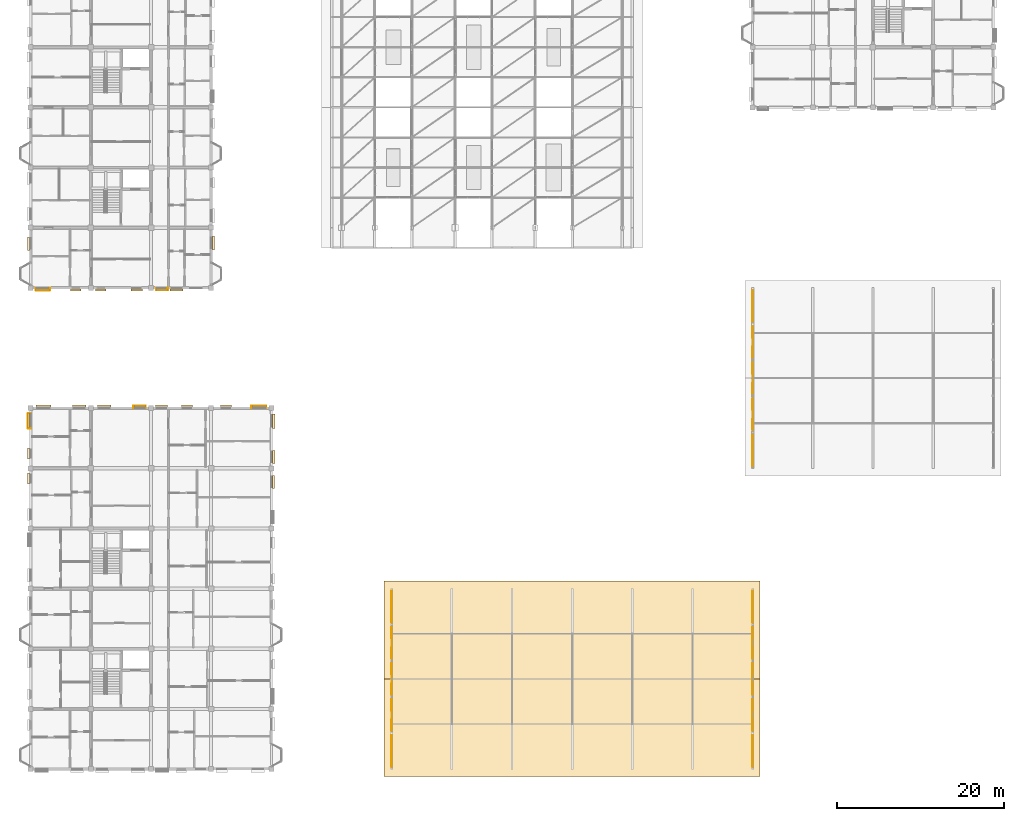
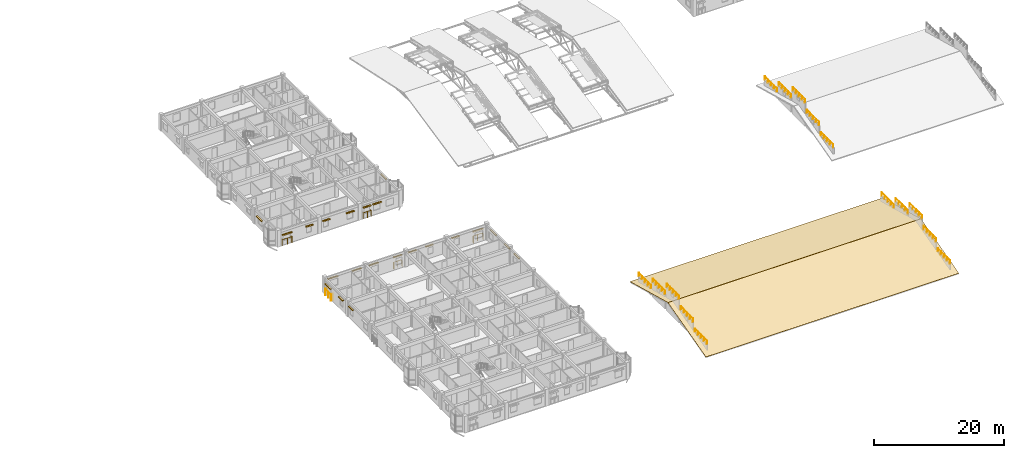
# One storey, part 116 of 124: 24 coverings, 20 railings.
"""IFC4 building model written with IfcOpenShell, lengths in metres."""

from ifc_helpers import new_model, si_unit, direction, frame, origin, origin_2d, place, context, subcontext, project, spatial, polyline, rectangle, circle, outline, extrude, material, layer, layer_set, type_object, element, save


model = new_model("IFC4")

# Units and contexts
model_context = context("Model", 3, precision=1e-05, world=origin(), true_north=direction((0.0, 1.0)))
body_context = subcontext(model_context, "Body", "Model", "MODEL_VIEW")
ifc_project = project(units=[si_unit("LENGTHUNIT", "METRE"), si_unit("AREAUNIT", "SQUARE_METRE"), si_unit("VOLUMEUNIT", "CUBIC_METRE"), si_unit("PLANEANGLEUNIT", "RADIAN"), si_unit("MASSUNIT", "GRAM", prefix="KILO"), si_unit("THERMODYNAMICTEMPERATUREUNIT", "KELVIN"), si_unit("POWERUNIT", "WATT")], contexts=[model_context])

# Site, building, storey
site_placement = place(None, origin())
site = spatial("IfcSite", under=ifc_project, at=site_placement, CompositionType="ELEMENT")
building_placement = place(site_placement, origin())
building = spatial("IfcBuilding", under=site, at=building_placement, Name="Tavuni Mirador Residences", CompositionType="ELEMENT")
storey_placement = place(building_placement, frame((0.0, 0.0, 7.64990234375)))
storey = spatial("IfcBuildingStorey", under=building, at=storey_placement, Name="L02", CompositionType="ELEMENT", Elevation=7.64990234375)

# Coverings
ifc_material_1 = material(Name="Natural coral limestone", Category="masonry")
ifc_layer_1 = layer(ifc_material_1, 0.054931640625, Name="Natural coral limestone", Category="masonry")
ifc_layer_set_1 = layer_set([ifc_layer_1], Name="Natural coral limestone")
covering_type_1 = type_object("IfcCoveringType", Name="CVT-CLAD-CORAL", PredefinedType="CLADDING", material=ifc_layer_set_1)
for number, where, z_axis, x_axis, name in (
    (1, (32.64453125, 41.570068359375, 1.955078125), (0.0, 0.0, 1.0), (0.0, 1.0, 0.0), "HOOD-0070"),
    (2, (32.68701171875, 44.570068359375, 1.955078125), (0.0, 0.0, 1.0), (0.0, 1.0, 0.0), "HOOD-0071"),
):
    element("IfcCovering", number, at=place(storey_placement, frame(where, z_axis=z_axis, x_axis=x_axis)), inside=storey, type_object=covering_type_1, Name=name, PredefinedType="CLADDING", context=body_context, shape_type="SweptSolid", body=[
        extrude(rectangle(XDim=1.580078125, YDim=0.25, at=origin_2d()), origin(), (0.0, 0.0, 1.0), 0.14990234375),
    ])
for number, where, z_axis, x_axis, name in (
    (3, (32.68701171875, 48.85009765625, 1.955078125), (0.0, 0.0, 1.0), (0.0, 1.0, 0.0), "HOOD-0072"),
    (4, (30.949951171875, 50.6494140625, 1.955078125), (0.0, 0.0, 1.0), (-1.0, 0.0, 0.0), "HOOD-0073"),
):
    element("IfcCovering", number, at=place(storey_placement, frame(where, z_axis=z_axis, x_axis=x_axis)), inside=storey, type_object=covering_type_1, Name=name, PredefinedType="CLADDING", context=body_context, shape_type="SweptSolid", body=[
        extrude(rectangle(XDim=1.739990234375, YDim=0.25, at=origin_2d()), origin(), (0.0, 0.0, 1.0), 0.14990234375),
    ])
for number, where, z_axis, x_axis, name in (
    (5, (26.969970703125, 50.6494140625, 2.065185546875), (0.0, 0.0, 1.0), (-1.0, 0.0, 0.0), "HOOD-0074"),
    (6, (22.304931640625, 50.659423828125, 2.065185546875), (0.0, 0.0, 1.0), (-1.0, 0.0, 0.0), "HOOD-0075"),
):
    element("IfcCovering", number, at=place(storey_placement, frame(where, z_axis=z_axis, x_axis=x_axis)), inside=storey, type_object=covering_type_1, Name=name, PredefinedType="CLADDING", context=body_context, shape_type="SweptSolid", body=[
        extrude(rectangle(XDim=1.300048828125, YDim=0.25, at=origin_2d()), origin(), (0.0, 0.0, 1.0), 0.14990234375),
    ])
for number, where, z_axis, x_axis, name in (
    (7, (19.27001953125, 50.659423828125, 2.065185546875), (0.0, 0.0, 1.0), (-1.0, 0.0, 0.0), "HOOD-0076"),
    (8, (16.68994140625, 50.6669921875, 2.065185546875), (0.0, 0.0, 1.0), (-1.0, 0.0, 0.0), "HOOD-0077"),
):
    element("IfcCovering", number, at=place(storey_placement, frame(where, z_axis=z_axis, x_axis=x_axis)), inside=storey, type_object=covering_type_1, Name=name, PredefinedType="CLADDING", context=body_context, shape_type="SweptSolid", body=[
        extrude(rectangle(XDim=1.4599609375, YDim=0.25, at=origin_2d()), origin(), (0.0, 0.0, 1.0), 0.14990234375),
    ])
for number, where, z_axis, x_axis, name in (
    (9, (12.409912109375, 50.6669921875, 2.065185546875), (0.0, 0.0, 1.0), (-1.0, 0.0, 0.0), "HOOD-0078"),
    (10, (9.409912109375, 50.674560546875, 2.065185546875), (0.0, 0.0, 1.0), (-1.0, 0.0, 0.0), "HOOD-0079"),
):
    element("IfcCovering", number, at=place(storey_placement, frame(where, z_axis=z_axis, x_axis=x_axis)), inside=storey, type_object=covering_type_1, Name=name, PredefinedType="CLADDING", context=body_context, shape_type="SweptSolid", body=[
        extrude(rectangle(XDim=1.6201171875, YDim=0.25, at=origin_2d()), origin(), (0.0, 0.0, 1.0), 0.14990234375),
    ])
for number, where, z_axis, x_axis, name in (
    (11, (5.1298828125, 50.674560546875, 2.065185546875), (0.0, 0.0, 1.0), (-1.0, 0.0, 0.0), "HOOD-0080"),
    (12, (3.31298828125, 48.929931640625, 2.065185546875), (0.0, 0.0, 1.0), (0.0, -1.0, 0.0), "HOOD-0081"),
):
    element("IfcCovering", number, at=place(storey_placement, frame(where, z_axis=z_axis, x_axis=x_axis)), inside=storey, type_object=covering_type_1, Name=name, PredefinedType="CLADDING", context=body_context, shape_type="SweptSolid", body=[
        extrude(rectangle(XDim=1.780029296875, YDim=0.25, at=origin_2d()), origin(), (0.0, 0.0, 1.0), 0.14990234375),
    ])
for number, where, z_axis, x_axis, name in (
    (13, (3.31298828125, 44.9599609375, 2.1650390625), (0.0, 0.0, 1.0), (0.0, -1.0, 0.0), "HOOD-0082"),
    (14, (3.35546875, 41.9599609375, 2.1650390625), (0.0, 0.0, 1.0), (0.0, -1.0, 0.0), "HOOD-0083"),
):
    element("IfcCovering", number, at=place(storey_placement, frame(where, z_axis=z_axis, x_axis=x_axis)), inside=storey, type_object=covering_type_1, Name=name, PredefinedType="CLADDING", context=body_context, shape_type="SweptSolid", body=[
        extrude(rectangle(XDim=1.320068359375, YDim=0.25, at=origin_2d()), origin(), (0.0, 0.0, 1.0), 0.14990234375),
    ])
covering_1_placement = place(storey_placement, frame((5.010009765625, 64.525390625, 1.955078125), z_axis=(0.0, 0.0, 1.0), x_axis=(1.0, 0.0, 0.0)))
element("IfcCovering", 15, at=covering_1_placement, inside=storey, type_object=covering_type_1, Name="HOOD-0358", PredefinedType="CLADDING", context=body_context, shape_type="SweptSolid", body=[
    extrude(rectangle(XDim=1.659912109375, YDim=0.25, at=origin_2d()), origin(), (0.0, 0.0, 1.0), 0.14990234375),
])
for number, where, z_axis, x_axis, name in (
    (16, (8.989990234375, 64.525390625, 2.065185546875), (0.0, 0.0, 1.0), (1.0, 0.0, 0.0), "HOOD-0359"),
    (17, (11.989990234375, 64.532958984375, 2.065185546875), (0.0, 0.0, 1.0), (1.0, 0.0, 0.0), "HOOD-0360"),
):
    element("IfcCovering", number, at=place(storey_placement, frame(where, z_axis=z_axis, x_axis=x_axis)), inside=storey, type_object=covering_type_1, Name=name, PredefinedType="CLADDING", context=body_context, shape_type="SweptSolid", body=[
        extrude(rectangle(XDim=1.219970703125, YDim=0.25, at=origin_2d()), origin(), (0.0, 0.0, 1.0), 0.14990234375),
    ])
for number, where, z_axis, x_axis, name in (
    (18, (16.27001953125, 64.532958984375, 2.065185546875), (0.0, 0.0, 1.0), (1.0, 0.0, 0.0), "HOOD-0361"),
    (19, (19.27001953125, 64.54052734375, 2.065185546875), (0.0, 0.0, 1.0), (1.0, 0.0, 0.0), "HOOD-0362"),
):
    element("IfcCovering", number, at=place(storey_placement, frame(where, z_axis=z_axis, x_axis=x_axis)), inside=storey, type_object=covering_type_1, Name=name, PredefinedType="CLADDING", context=body_context, shape_type="SweptSolid", body=[
        extrude(rectangle(XDim=1.3798828125, YDim=0.25, at=origin_2d()), origin(), (0.0, 0.0, 1.0), 0.14990234375),
    ])
covering_2_placement = place(storey_placement, frame((21.050048828125, 64.54052734375, 2.065185546875), z_axis=(0.0, 0.0, 1.0), x_axis=(1.0, 0.0, 0.0)))
element("IfcCovering", 20, at=covering_2_placement, inside=storey, type_object=covering_type_1, Name="HOOD-0363", PredefinedType="CLADDING", context=body_context, shape_type="SweptSolid", body=[
    extrude(rectangle(XDim=1.5400390625, YDim=0.25, at=origin_2d()), origin(), (0.0, 0.0, 1.0), 0.14990234375),
])
covering_3_placement = place(storey_placement, frame((25.4794921875, 70.1650390625, 2.06005859375), z_axis=(0.0, 0.0, 1.0), x_axis=(0.0, 1.0, 0.0)))
element("IfcCovering", 21, at=covering_3_placement, inside=storey, type_object=covering_type_1, Name="HOOD-0364", PredefinedType="CLADDING", context=body_context, shape_type="SweptSolid", body=[
    extrude(rectangle(XDim=1.639892578125, YDim=0.260009765625, at=origin_2d()), origin(), (0.0, 0.0, 1.0), 0.159912109375),
])
covering_4_placement = place(storey_placement, frame((3.320556640625, 70.094970703125, 1.9501953125), z_axis=(0.0, 0.0, 1.0), x_axis=(0.0, -1.0, 0.0)))
element("IfcCovering", 22, at=covering_4_placement, inside=storey, type_object=covering_type_1, Name="HOOD-0385", PredefinedType="CLADDING", context=body_context, shape_type="SweptSolid", body=[
    extrude(rectangle(XDim=1.60009765625, YDim=0.260009765625, at=origin_2d()), origin(), (0.0, 0.0, 1.0), 0.159912109375),
])
ifc_material_2 = material(Name="Glazed ceramic roof tile", Category="masonry")
ifc_layer_2 = layer(ifc_material_2, 0.044921875, Name="Glazed ceramic roof tile", Category="masonry")
ifc_layer_set_2 = layer_set([ifc_layer_2], Name="Glazed ceramic roof tile")
covering_type_2 = type_object("IfcCoveringType", Name="CVT-ROOF-TILE", PredefinedType="ROOFING", material=ifc_layer_set_2)
for number, where, z_axis, x_axis, name in (
    (23, (45.89990234375, 6.300048828125, -0.196533203125), (0.0, -0.259575572579, 0.965722797764), (1.0, 0.0, 0.0), "COV-RF-PAV-SHOP-S"),
    (24, (45.89990234375, 18.011962890625, 2.945068359375), (0.0, 0.259575572579, 0.965722797764), (1.0, 0.0, 0.0), "COV-RF-PAV-SHOP-N"),
):
    element("IfcCovering", number, at=place(storey_placement, frame(where, z_axis=z_axis, x_axis=x_axis)), inside=storey, type_object=covering_type_2, Name=name, PredefinedType="ROOFING", context=body_context, shape_type="SweptSolid", body=[
        extrude(outline(polyline([(0.0, 0.0), (45.0, 0.0), (45.0, 12.10283976759751), (0.0, 12.10283976759751), (0.0, 0.0)])), origin(), (0.0, 0.0, -1.0), 0.044921875),
    ])

# Railings
ifc_material_3 = material(Name="Structural steel S355", Category="steel")
railing_type_1 = type_object("IfcRailingType", Name="RT-BL1150", PredefinedType="BALUSTRADE", material=ifc_material_3)
railing_1_placement = place(storey_placement, frame((31.75, 50.39990234375, 0.0400390625)))
element("IfcRailing", 25, at=railing_1_placement, inside=storey, type_object=railing_type_1, Name="BALC-BLK-A-L02-N03", PredefinedType="BALUSTRADE", context=body_context, shape_type="SweptSolid", body=[
    extrude(circle(Radius=0.02392578125, at=origin_2d()), frame((0.0, 0.0, 1.1259765625), z_axis=(0.0, 1.0, 0.0), x_axis=(-1.0, 0.0, 0.0)), (0.0, 0.0, 1.0), 0.267578125),
    extrude(circle(Radius=0.02392578125, at=origin_2d()), frame((0.0, 0.267578125, 1.1259765625), z_axis=(-1.0, 0.0, 0.0), x_axis=(0.0, -1.0, 0.0)), (0.0, 0.0, 1.0), 1.719970703125),
    extrude(circle(Radius=0.02392578125, at=origin_2d()), frame((-1.719970703125, 0.267578125, 1.1259765625), z_axis=(0.0, -1.0, 0.0), x_axis=(1.0, 0.0, 0.0)), (0.0, 0.0, 1.0), 0.267578125),
    extrude(circle(Radius=0.02099609375, at=origin_2d()), origin(), (0.0, 0.0, 1.0), 1.101806640625),
    extrude(circle(Radius=0.02099609375, at=origin_2d()), frame((0.0, 0.267578125, 0.0)), (0.0, 0.0, 1.0), 1.101806640625),
    extrude(circle(Radius=0.02099609375, at=origin_2d()), frame((-0.85986328125, 0.267578125, 0.0)), (0.0, 0.0, 1.0), 1.101806640625),
    extrude(circle(Radius=0.02099609375, at=origin_2d()), frame((-1.719970703125, 0.267578125, 0.0)), (0.0, 0.0, 1.0), 1.101806640625),
    extrude(circle(Radius=0.02099609375, at=origin_2d()), frame((-1.719970703125, 0.0, 0.0)), (0.0, 0.0, 1.0), 1.101806640625),
])
railing_2_placement = place(storey_placement, frame((17.35009765625, 50.39990234375, 0.0400390625)))
element("IfcRailing", 26, at=railing_2_placement, inside=storey, type_object=railing_type_1, Name="BALC-BLK-A-L02-N01", PredefinedType="BALUSTRADE", context=body_context, shape_type="SweptSolid", body=[
    extrude(circle(Radius=0.02392578125, at=origin_2d()), frame((0.0, 0.0, 1.1259765625), z_axis=(0.0, 1.0, 0.0), x_axis=(-1.0, 0.0, 0.0)), (0.0, 0.0, 1.0), 0.28515625),
    extrude(circle(Radius=0.02392578125, at=origin_2d()), frame((0.0, 0.28515625, 1.1259765625), z_axis=(-1.0, 0.0, 0.0), x_axis=(0.0, -1.0, 0.0)), (0.0, 0.0, 1.0), 1.440185546875),
    extrude(circle(Radius=0.02392578125, at=origin_2d()), frame((-1.440185546875, 0.28515625, 1.1259765625), z_axis=(0.0, -1.0, 0.0), x_axis=(1.0, 0.0, 0.0)), (0.0, 0.0, 1.0), 0.28515625),
    extrude(circle(Radius=0.02099609375, at=origin_2d()), origin(), (0.0, 0.0, 1.0), 1.101806640625),
    extrude(circle(Radius=0.02099609375, at=origin_2d()), frame((0.0, 0.28515625, 0.0)), (0.0, 0.0, 1.0), 1.101806640625),
    extrude(circle(Radius=0.02099609375, at=origin_2d()), frame((-0.72021484375, 0.28515625, 0.0)), (0.0, 0.0, 1.0), 1.101806640625),
    extrude(circle(Radius=0.02099609375, at=origin_2d()), frame((-1.440185546875, 0.28515625, 0.0)), (0.0, 0.0, 1.0), 1.101806640625),
    extrude(circle(Radius=0.02099609375, at=origin_2d()), frame((-1.440185546875, 0.0, 0.0)), (0.0, 0.0, 1.0), 1.101806640625),
])
railing_3_placement = place(storey_placement, frame((3.60009765625, 49.75, 0.0400390625)))
element("IfcRailing", 27, at=railing_3_placement, inside=storey, type_object=railing_type_1, Name="BALC-BLK-A-L02-W05", PredefinedType="BALUSTRADE", context=body_context, shape_type="SweptSolid", body=[
    extrude(circle(Radius=0.02392578125, at=origin_2d()), frame((0.0, 0.0, 1.1259765625), z_axis=(-1.0, 0.0, 0.0), x_axis=(0.0, -1.0, 0.0)), (0.0, 0.0, 1.0), 0.30517578125),
    extrude(circle(Radius=0.02392578125, at=origin_2d()), frame((-0.30517578125, 0.0, 1.1259765625), z_axis=(0.0, -1.0, 0.0), x_axis=(1.0, 0.0, 0.0)), (0.0, 0.0, 1.0), 1.760009765625),
    extrude(circle(Radius=0.02392578125, at=origin_2d()), frame((-0.30517578125, -1.760009765625, 1.1259765625), z_axis=(1.0, 0.0, 0.0), x_axis=(0.0, 1.0, 0.0)), (0.0, 0.0, 1.0), 0.30517578125),
    extrude(circle(Radius=0.02099609375, at=origin_2d()), origin(), (0.0, 0.0, 1.0), 1.101806640625),
    extrude(circle(Radius=0.02099609375, at=origin_2d()), frame((-0.30517578125, 0.0, 0.0)), (0.0, 0.0, 1.0), 1.101806640625),
    extrude(circle(Radius=0.02099609375, at=origin_2d()), frame((-0.30517578125, -0.8798828125, 0.0)), (0.0, 0.0, 1.0), 1.101806640625),
    extrude(circle(Radius=0.02099609375, at=origin_2d()), frame((-0.30517578125, -1.760009765625, 0.0)), (0.0, 0.0, 1.0), 1.101806640625),
    extrude(circle(Radius=0.02099609375, at=origin_2d()), frame((0.0, -1.760009765625, 0.0)), (0.0, 0.0, 1.0), 1.101806640625),
])
railing_4_placement = place(storey_placement, frame((4.25, 64.800048828125, 0.0400390625)))
element("IfcRailing", 28, at=railing_4_placement, inside=storey, type_object=railing_type_1, Name="BALC-BLK-B-L02-S00", PredefinedType="BALUSTRADE", context=body_context, shape_type="SweptSolid", body=[
    extrude(circle(Radius=0.02392578125, at=origin_2d()), frame((0.0, 0.0, 1.1259765625), z_axis=(0.0, -1.0, 0.0), x_axis=(1.0, 0.0, 0.0)), (0.0, 0.0, 1.0), 0.29248046875),
    extrude(circle(Radius=0.02392578125, at=origin_2d()), frame((0.0, -0.29248046875, 1.1259765625), z_axis=(1.0, 0.0, 0.0), x_axis=(0.0, 1.0, 0.0)), (0.0, 0.0, 1.0), 1.639892578125),
    extrude(circle(Radius=0.02392578125, at=origin_2d()), frame((1.639892578125, -0.29248046875, 1.1259765625), z_axis=(0.0, 1.0, 0.0), x_axis=(-1.0, 0.0, 0.0)), (0.0, 0.0, 1.0), 0.29248046875),
    extrude(circle(Radius=0.02099609375, at=origin_2d()), origin(), (0.0, 0.0, 1.0), 1.101806640625),
    extrude(circle(Radius=0.02099609375, at=origin_2d()), frame((0.0, -0.29248046875, 0.0)), (0.0, 0.0, 1.0), 1.101806640625),
    extrude(circle(Radius=0.02099609375, at=origin_2d()), frame((0.81982421875, -0.29248046875, 0.0)), (0.0, 0.0, 1.0), 1.101806640625),
    extrude(circle(Radius=0.02099609375, at=origin_2d()), frame((1.639892578125, -0.29248046875, 0.0)), (0.0, 0.0, 1.0), 1.101806640625),
    extrude(circle(Radius=0.02099609375, at=origin_2d()), frame((1.639892578125, 0.0, 0.0)), (0.0, 0.0, 1.0), 1.101806640625),
])
railing_5_placement = place(storey_placement, frame((18.64990234375, 64.800048828125, 0.0400390625)))
element("IfcRailing", 29, at=railing_5_placement, inside=storey, type_object=railing_type_1, Name="BALC-BLK-B-L02-S02", PredefinedType="BALUSTRADE", context=body_context, shape_type="SweptSolid", body=[
    extrude(circle(Radius=0.02392578125, at=origin_2d()), frame((0.0, 0.0, 1.1259765625), z_axis=(0.0, -1.0, 0.0), x_axis=(1.0, 0.0, 0.0)), (0.0, 0.0, 1.0), 0.277587890625),
    extrude(circle(Radius=0.02392578125, at=origin_2d()), frame((0.0, -0.277587890625, 1.1259765625), z_axis=(1.0, 0.0, 0.0), x_axis=(0.0, 1.0, 0.0)), (0.0, 0.0, 1.0), 1.360107421875),
    extrude(circle(Radius=0.02392578125, at=origin_2d()), frame((1.360107421875, -0.277587890625, 1.1259765625), z_axis=(0.0, 1.0, 0.0), x_axis=(-1.0, 0.0, 0.0)), (0.0, 0.0, 1.0), 0.277587890625),
    extrude(circle(Radius=0.02099609375, at=origin_2d()), origin(), (0.0, 0.0, 1.0), 1.101806640625),
    extrude(circle(Radius=0.02099609375, at=origin_2d()), frame((0.0, -0.277587890625, 0.0)), (0.0, 0.0, 1.0), 1.101806640625),
    extrude(circle(Radius=0.02099609375, at=origin_2d()), frame((0.68017578125, -0.277587890625, 0.0)), (0.0, 0.0, 1.0), 1.101806640625),
    extrude(circle(Radius=0.02099609375, at=origin_2d()), frame((1.360107421875, -0.277587890625, 0.0)), (0.0, 0.0, 1.0), 1.101806640625),
    extrude(circle(Radius=0.02099609375, at=origin_2d()), frame((1.360107421875, 0.0, 0.0)), (0.0, 0.0, 1.0), 1.101806640625),
])
railing_type_2 = type_object("IfcRailingType", Name="RT-CR650", PredefinedType="BALUSTRADE", material=ifc_material_3)
for number, where, name in (
    (30, (90.0, 43.489990234375, 1.18017578125), "CREST-PAV-NURS-X0-0"),
    (31, (90.0, 47.81005859375, 2.739990234375), "CREST-PAV-NURS-X0-1"),
):
    element("IfcRailing", number, at=place(storey_placement, frame(where)), inside=storey, type_object=railing_type_2, Name=name, PredefinedType="BALUSTRADE", context=body_context, shape_type="SweptSolid", body=[
        extrude(circle(Radius=0.02392578125, at=origin_2d()), frame((0.0, 0.0, 0.6259765625), z_axis=(0.0, 1.0, 0.0), x_axis=(-1.0, 0.0, 0.0)), (0.0, 0.0, 1.0), 3.739990234375),
        extrude(circle(Radius=0.02099609375, at=origin_2d()), origin(), (0.0, 0.0, 1.0), 0.601806640625),
        extrude(circle(Radius=0.02099609375, at=origin_2d()), frame((0.0, 0.93505859375, 0.0)), (0.0, 0.0, 1.0), 0.601806640625),
        extrude(circle(Radius=0.02099609375, at=origin_2d()), frame((0.0, 1.8701171875, 0.0)), (0.0, 0.0, 1.0), 0.601806640625),
        extrude(circle(Radius=0.02099609375, at=origin_2d()), frame((0.0, 2.804931640625, 0.0)), (0.0, 0.0, 1.0), 0.601806640625),
        extrude(circle(Radius=0.02099609375, at=origin_2d()), frame((0.0, 3.739990234375, 0.0)), (0.0, 0.0, 1.0), 0.601806640625),
    ])
railing_6_placement = place(storey_placement, frame((90.0, 52.1298828125, 4.400146484375)))
element("IfcRailing", 32, at=railing_6_placement, inside=storey, type_object=railing_type_2, Name="CREST-PAV-NURS-X0-2", PredefinedType="BALUSTRADE", context=body_context, shape_type="SweptSolid", body=[
    extrude(circle(Radius=0.02392578125, at=origin_2d()), frame((0.0, 0.0, 0.6259765625), z_axis=(0.0, 1.0, 0.0), x_axis=(-1.0, 0.0, 0.0)), (0.0, 0.0, 1.0), 3.740234375),
    extrude(circle(Radius=0.02099609375, at=origin_2d()), origin(), (0.0, 0.0, 1.0), 0.601806640625),
    extrude(circle(Radius=0.02099609375, at=origin_2d()), frame((0.0, 0.93505859375, 0.0)), (0.0, 0.0, 1.0), 0.601806640625),
    extrude(circle(Radius=0.02099609375, at=origin_2d()), frame((0.0, 1.8701171875, 0.0)), (0.0, 0.0, 1.0), 0.601806640625),
    extrude(circle(Radius=0.02099609375, at=origin_2d()), frame((0.0, 2.80517578125, 0.0)), (0.0, 0.0, 1.0), 0.601806640625),
    extrude(circle(Radius=0.02099609375, at=origin_2d()), frame((0.0, 3.740234375, 0.0)), (0.0, 0.0, 1.0), 0.601806640625),
])
for number, where, name in (
    (33, (90.0, 56.449951171875, 2.739990234375), "CREST-PAV-NURS-X0-3"),
    (34, (90.0, 60.77001953125, 1.18017578125), "CREST-PAV-NURS-X0-4"),
    (35, (46.800048828125, 7.489990234375, 1.18017578125), "CREST-PAV-SHOP-X0-0"),
    (36, (46.800048828125, 11.81005859375, 2.739990234375), "CREST-PAV-SHOP-X0-1"),
):
    element("IfcRailing", number, at=place(storey_placement, frame(where)), inside=storey, type_object=railing_type_2, Name=name, PredefinedType="BALUSTRADE", context=body_context, shape_type="SweptSolid", body=[
        extrude(circle(Radius=0.02392578125, at=origin_2d()), frame((0.0, 0.0, 0.6259765625), z_axis=(0.0, 1.0, 0.0), x_axis=(-1.0, 0.0, 0.0)), (0.0, 0.0, 1.0), 3.739990234375),
        extrude(circle(Radius=0.02099609375, at=origin_2d()), origin(), (0.0, 0.0, 1.0), 0.601806640625),
        extrude(circle(Radius=0.02099609375, at=origin_2d()), frame((0.0, 0.93505859375, 0.0)), (0.0, 0.0, 1.0), 0.601806640625),
        extrude(circle(Radius=0.02099609375, at=origin_2d()), frame((0.0, 1.8701171875, 0.0)), (0.0, 0.0, 1.0), 0.601806640625),
        extrude(circle(Radius=0.02099609375, at=origin_2d()), frame((0.0, 2.804931640625, 0.0)), (0.0, 0.0, 1.0), 0.601806640625),
        extrude(circle(Radius=0.02099609375, at=origin_2d()), frame((0.0, 3.739990234375, 0.0)), (0.0, 0.0, 1.0), 0.601806640625),
    ])
railing_7_placement = place(storey_placement, frame((46.800048828125, 16.1298828125, 4.400146484375)))
element("IfcRailing", 37, at=railing_7_placement, inside=storey, type_object=railing_type_2, Name="CREST-PAV-SHOP-X0-2", PredefinedType="BALUSTRADE", context=body_context, shape_type="SweptSolid", body=[
    extrude(circle(Radius=0.02392578125, at=origin_2d()), frame((0.0, 0.0, 0.6259765625), z_axis=(0.0, 1.0, 0.0), x_axis=(-1.0, 0.0, 0.0)), (0.0, 0.0, 1.0), 3.740234375),
    extrude(circle(Radius=0.02099609375, at=origin_2d()), origin(), (0.0, 0.0, 1.0), 0.601806640625),
    extrude(circle(Radius=0.02099609375, at=origin_2d()), frame((0.0, 0.93505859375, 0.0)), (0.0, 0.0, 1.0), 0.601806640625),
    extrude(circle(Radius=0.02099609375, at=origin_2d()), frame((0.0, 1.8701171875, 0.0)), (0.0, 0.0, 1.0), 0.601806640625),
    extrude(circle(Radius=0.02099609375, at=origin_2d()), frame((0.0, 2.80517578125, 0.0)), (0.0, 0.0, 1.0), 0.601806640625),
    extrude(circle(Radius=0.02099609375, at=origin_2d()), frame((0.0, 3.740234375, 0.0)), (0.0, 0.0, 1.0), 0.601806640625),
])
for number, where, name in (
    (38, (46.800048828125, 20.449951171875, 2.739990234375), "CREST-PAV-SHOP-X0-3"),
    (39, (46.800048828125, 24.77001953125, 1.18017578125), "CREST-PAV-SHOP-X0-4"),
    (40, (90.0, 7.489990234375, 1.18017578125), "CREST-PAV-SHOP-X1-0"),
    (41, (90.0, 11.81005859375, 2.739990234375), "CREST-PAV-SHOP-X1-1"),
):
    element("IfcRailing", number, at=place(storey_placement, frame(where)), inside=storey, type_object=railing_type_2, Name=name, PredefinedType="BALUSTRADE", context=body_context, shape_type="SweptSolid", body=[
        extrude(circle(Radius=0.02392578125, at=origin_2d()), frame((0.0, 0.0, 0.6259765625), z_axis=(0.0, 1.0, 0.0), x_axis=(-1.0, 0.0, 0.0)), (0.0, 0.0, 1.0), 3.739990234375),
        extrude(circle(Radius=0.02099609375, at=origin_2d()), origin(), (0.0, 0.0, 1.0), 0.601806640625),
        extrude(circle(Radius=0.02099609375, at=origin_2d()), frame((0.0, 0.93505859375, 0.0)), (0.0, 0.0, 1.0), 0.601806640625),
        extrude(circle(Radius=0.02099609375, at=origin_2d()), frame((0.0, 1.8701171875, 0.0)), (0.0, 0.0, 1.0), 0.601806640625),
        extrude(circle(Radius=0.02099609375, at=origin_2d()), frame((0.0, 2.804931640625, 0.0)), (0.0, 0.0, 1.0), 0.601806640625),
        extrude(circle(Radius=0.02099609375, at=origin_2d()), frame((0.0, 3.739990234375, 0.0)), (0.0, 0.0, 1.0), 0.601806640625),
    ])
railing_8_placement = place(storey_placement, frame((90.0, 16.1298828125, 4.400146484375)))
element("IfcRailing", 42, at=railing_8_placement, inside=storey, type_object=railing_type_2, Name="CREST-PAV-SHOP-X1-2", PredefinedType="BALUSTRADE", context=body_context, shape_type="SweptSolid", body=[
    extrude(circle(Radius=0.02392578125, at=origin_2d()), frame((0.0, 0.0, 0.6259765625), z_axis=(0.0, 1.0, 0.0), x_axis=(-1.0, 0.0, 0.0)), (0.0, 0.0, 1.0), 3.740234375),
    extrude(circle(Radius=0.02099609375, at=origin_2d()), origin(), (0.0, 0.0, 1.0), 0.601806640625),
    extrude(circle(Radius=0.02099609375, at=origin_2d()), frame((0.0, 0.93505859375, 0.0)), (0.0, 0.0, 1.0), 0.601806640625),
    extrude(circle(Radius=0.02099609375, at=origin_2d()), frame((0.0, 1.8701171875, 0.0)), (0.0, 0.0, 1.0), 0.601806640625),
    extrude(circle(Radius=0.02099609375, at=origin_2d()), frame((0.0, 2.80517578125, 0.0)), (0.0, 0.0, 1.0), 0.601806640625),
    extrude(circle(Radius=0.02099609375, at=origin_2d()), frame((0.0, 3.740234375, 0.0)), (0.0, 0.0, 1.0), 0.601806640625),
])
for number, where, name in (
    (43, (90.0, 20.449951171875, 2.739990234375), "CREST-PAV-SHOP-X1-3"),
    (44, (90.0, 24.77001953125, 1.18017578125), "CREST-PAV-SHOP-X1-4"),
):
    element("IfcRailing", number, at=place(storey_placement, frame(where)), inside=storey, type_object=railing_type_2, Name=name, PredefinedType="BALUSTRADE", context=body_context, shape_type="SweptSolid", body=[
        extrude(circle(Radius=0.02392578125, at=origin_2d()), frame((0.0, 0.0, 0.6259765625), z_axis=(0.0, 1.0, 0.0), x_axis=(-1.0, 0.0, 0.0)), (0.0, 0.0, 1.0), 3.739990234375),
        extrude(circle(Radius=0.02099609375, at=origin_2d()), origin(), (0.0, 0.0, 1.0), 0.601806640625),
        extrude(circle(Radius=0.02099609375, at=origin_2d()), frame((0.0, 0.93505859375, 0.0)), (0.0, 0.0, 1.0), 0.601806640625),
        extrude(circle(Radius=0.02099609375, at=origin_2d()), frame((0.0, 1.8701171875, 0.0)), (0.0, 0.0, 1.0), 0.601806640625),
        extrude(circle(Radius=0.02099609375, at=origin_2d()), frame((0.0, 2.804931640625, 0.0)), (0.0, 0.0, 1.0), 0.601806640625),
        extrude(circle(Radius=0.02099609375, at=origin_2d()), frame((0.0, 3.739990234375, 0.0)), (0.0, 0.0, 1.0), 0.601806640625),
    ])

save(model, "model.ifc")
